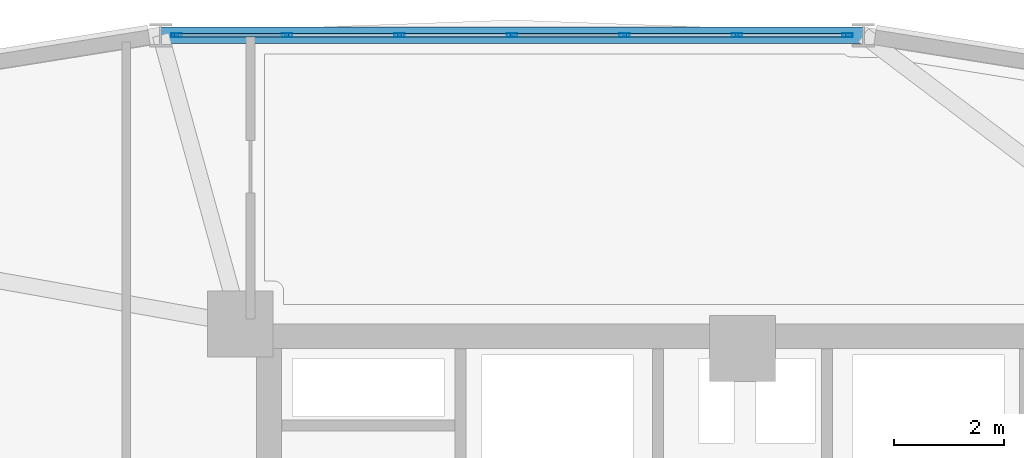
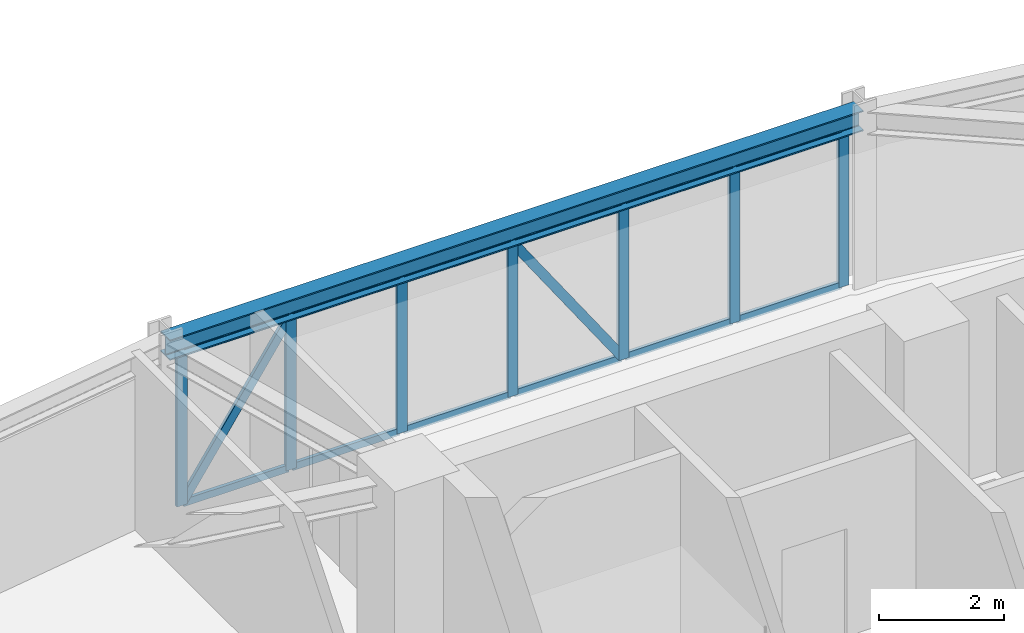
# One storey, part 8 of 15: 21 members, 1 beam, 1 element without a shape of its own.
"""IFC4 building model written with IfcOpenShell, lengths in metres."""

from ifc_helpers import new_model, si_unit, derived_unit, direction, frame, origin, origin_2d, place, context, subcontext, project, spatial, hollow_rectangle, i_section, extrude, source, transform, mapped, material, layer, layer_set, material_profile, profile_set, type_object, element, aggregate, save


model = new_model("IFC4")

# Units and contexts
model_context = context("Model", 3, precision=1e-05, world=origin(), true_north=direction((0.0, 1.0)))
body_context = subcontext(model_context, "Body", "Model", "MODEL_VIEW")
ifc_project = project(units=[si_unit("LENGTHUNIT", "METRE"), si_unit("AREAUNIT", "SQUARE_METRE"), si_unit("VOLUMEUNIT", "CUBIC_METRE"), si_unit("PLANEANGLEUNIT", "RADIAN"), si_unit("MASSUNIT", "GRAM", prefix="KILO"), derived_unit("THERMALTRANSMITTANCEUNIT", [(si_unit("POWERUNIT", "WATT"), 1), (si_unit("LENGTHUNIT", "METRE"), -2), (si_unit("THERMODYNAMICTEMPERATUREUNIT", "KELVIN"), -1)])], contexts=[model_context])

# Site, building, storey
site_placement = place(None, origin())
site = spatial("IfcSite", under=ifc_project, at=site_placement, CompositionType="ELEMENT")
building_placement = place(site_placement, origin())
building = spatial("IfcBuilding", under=site, at=building_placement, Name="Korsvarv Bourse and Concert Hall", CompositionType="ELEMENT")
storey_placement = place(building_placement, frame((0.0, 0.0, 161.39990234375)))
storey = spatial("IfcBuildingStorey", under=building, at=storey_placement, Name="L41", CompositionType="ELEMENT", Elevation=161.39990234375)

# Beam
ifc_material_1 = material(Name="Steel S355", Category="steel")
ifc_material_profile_1 = material_profile(ifc_material_1, i_section(OverallWidth=0.300048828125, OverallDepth=0.39990234375, WebThickness=0.013427734375, FlangeThickness=0.02392578125, FilletRadius=0.02099609375, at=origin_2d()), Name="HEB 400")
ifc_profile_set_1 = profile_set([ifc_material_profile_1], Name="Steel S355")
beam_type = type_object("IfcBeamType", Name="BM-HEB400", PredefinedType="SPANDREL", material=ifc_profile_set_1)
shared_shape_1 = source(origin(), body_context, "Body", "SweptSolid", [
    extrude(i_section(OverallWidth=0.300048828125, OverallDepth=0.39990234375, WebThickness=0.013427734375, FlangeThickness=0.02392578125, FilletRadius=0.02099609375, at=origin_2d()), origin(), (0.0, 0.0, 1.0), 12.802978515625),
])
beam_placement = place(storey_placement, frame((38.201416015625, 52.507568359375, 3.2001953125), z_axis=(-1.0, 0.0, 0.0), x_axis=(0.0, -1.0, 0.0)))
element("IfcBeam", 1, at=beam_placement, inside=storey, type_object=beam_type, Name="L41 beam B-09", PredefinedType="SPANDREL", context=body_context, shape_type="MappedRepresentation", body=[
    mapped(shared_shape_1, transform((0.0, 0.0, 0.0), scale=1.0)),
])

# Curtain wall, members
ifc_material_2 = material(Name="Anodised aluminium and triple low-E glazing", Category="glass")
ifc_layer = layer(ifc_material_2, 0.2099609375)
ifc_layer_set = layer_set([ifc_layer], Name="Anodised aluminium and triple low-E glazing")
curtain_wall_type = type_object("IfcCurtainWallType", Name="CW-SYS-2", PredefinedType="NOTDEFINED", material=ifc_layer_set)
curtain_wall_placement = place(storey_placement, origin())
curtain_wall = element("IfcCurtainWall", 2, at=curtain_wall_placement, inside=storey, type_object=curtain_wall_type, Name="L41 CW2 curtain wall CW-L41-F03", PredefinedType="NOTDEFINED")
ifc_material_3 = material(Name="Extruded aluminium EN AW-6063 T66", Category="aluminium")
ifc_material_profile_2 = material_profile(ifc_material_3, hollow_rectangle(XDim=0.06494140625, YDim=0.139892578125, WallThickness=0.00390625, at=origin_2d()), Name="ALU-T 65x140")
ifc_profile_set_2 = profile_set([ifc_material_profile_2], Name="Extruded aluminium EN AW-6063 T66")
member_type_1 = type_object("IfcMemberType", Name="CWT-140", PredefinedType="USERDEFINED", material=ifc_profile_set_2)
shared_shape_2 = source(origin(), body_context, "Body", "SweptSolid", [
    extrude(hollow_rectangle(XDim=0.06494140625, YDim=0.139892578125, WallThickness=0.00390625, at=origin_2d()), origin(), (0.0, 0.0, 1.0), 1.943359375),
])
member_1_placement = place(storey_placement, frame((27.66796875, 52.507568359375, 0.03271484375), z_axis=(-1.0, 0.0, 0.0), x_axis=(0.0, -1.0, 0.0)))
member_1 = element("IfcMember", 3, at=member_1_placement, type_object=member_type_1, Name="CW2 transom 6.1", ObjectType="TRANSOM", PredefinedType="USERDEFINED", context=body_context, shape_type="MappedRepresentation", body=[
    mapped(shared_shape_2, transform((0.0, 0.0, 0.0), scale=1.0)),
])
member_2_placement = place(storey_placement, frame((27.66796875, 52.507568359375, 2.967529296875), z_axis=(-1.0, 0.0, 0.0), x_axis=(0.0, -1.0, 0.0)))
member_2 = element("IfcMember", 4, at=member_2_placement, type_object=member_type_1, Name="CW2 transom 6.2", ObjectType="TRANSOM", PredefinedType="USERDEFINED", context=body_context, shape_type="MappedRepresentation", body=[
    mapped(shared_shape_2, transform((0.0, 0.0, 0.0), scale=1.0)),
])
ifc_material_profile_3 = material_profile(ifc_material_3, hollow_rectangle(XDim=0.070068359375, YDim=0.18994140625, WallThickness=0.0048828125, at=origin_2d()), Name="ALU-M 70x190")
ifc_profile_set_3 = profile_set([ifc_material_profile_3], Name="Extruded aluminium EN AW-6063 T66")
member_type_2 = type_object("IfcMemberType", Name="CWM-190", PredefinedType="MULLION", material=ifc_profile_set_3)
shared_shape_3 = source(origin(), body_context, "Body", "SweptSolid", [
    extrude(hollow_rectangle(XDim=0.070068359375, YDim=0.18994140625, WallThickness=0.0048828125, at=origin_2d()), origin(), (0.0, 0.0, 1.0), 3.0),
])
member_3_placement = place(storey_placement, frame((37.910400390625, 52.507568359375, 0.0), z_axis=(0.0, 0.0, 1.0), x_axis=(0.0, -1.0, 0.0)))
member_3 = element("IfcMember", 5, at=member_3_placement, type_object=member_type_2, Name="CW2 mullion 1", PredefinedType="MULLION", context=body_context, shape_type="MappedRepresentation", body=[
    mapped(shared_shape_3, transform((0.0, 0.0, 0.0), scale=1.0)),
])
member_4_placement = place(storey_placement, frame((35.89697265625, 52.507568359375, 0.0), z_axis=(0.0, 0.0, 1.0), x_axis=(0.0, -1.0, 0.0)))
member_4 = element("IfcMember", 6, at=member_4_placement, type_object=member_type_2, Name="CW2 mullion 2", PredefinedType="MULLION", context=body_context, shape_type="MappedRepresentation", body=[
    mapped(shared_shape_3, transform((0.0, 0.0, 0.0), scale=1.0)),
])
member_5_placement = place(storey_placement, frame((33.848388671875, 52.507568359375, 0.0), z_axis=(0.0, 0.0, 1.0), x_axis=(0.0, -1.0, 0.0)))
member_5 = element("IfcMember", 7, at=member_5_placement, type_object=member_type_2, Name="CW2 mullion 3", PredefinedType="MULLION", context=body_context, shape_type="MappedRepresentation", body=[
    mapped(shared_shape_3, transform((0.0, 0.0, 0.0), scale=1.0)),
])
member_6_placement = place(storey_placement, frame((31.800048828125, 52.507568359375, 0.0), z_axis=(0.0, 0.0, 1.0), x_axis=(0.0, -1.0, 0.0)))
member_6 = element("IfcMember", 8, at=member_6_placement, type_object=member_type_2, Name="CW2 mullion 4", PredefinedType="MULLION", context=body_context, shape_type="MappedRepresentation", body=[
    mapped(shared_shape_3, transform((0.0, 0.0, 0.0), scale=1.0)),
])
member_7_placement = place(storey_placement, frame((29.75146484375, 52.507568359375, 0.0), z_axis=(0.0, 0.0, 1.0), x_axis=(0.0, -1.0, 0.0)))
member_7 = element("IfcMember", 9, at=member_7_placement, type_object=member_type_2, Name="CW2 mullion 5", PredefinedType="MULLION", context=body_context, shape_type="MappedRepresentation", body=[
    mapped(shared_shape_3, transform((0.0, 0.0, 0.0), scale=1.0)),
])
member_8_placement = place(storey_placement, frame((27.702880859375, 52.507568359375, 0.0), z_axis=(0.0, 0.0, 1.0), x_axis=(0.0, -1.0, 0.0)))
member_8 = element("IfcMember", 10, at=member_8_placement, type_object=member_type_2, Name="CW2 mullion 6", PredefinedType="MULLION", context=body_context, shape_type="MappedRepresentation", body=[
    mapped(shared_shape_3, transform((0.0, 0.0, 0.0), scale=1.0)),
])
member_9_placement = place(storey_placement, frame((25.689453125, 52.507568359375, 0.0), z_axis=(0.0, 0.0, 1.0), x_axis=(0.0, -1.0, 0.0)))
member_9 = element("IfcMember", 11, at=member_9_placement, type_object=member_type_2, Name="CW2 mullion 7", PredefinedType="MULLION", context=body_context, shape_type="MappedRepresentation", body=[
    mapped(shared_shape_3, transform((0.0, 0.0, 0.0), scale=1.0)),
])
shared_shape_4 = source(origin(), body_context, "Body", "SweptSolid", [
    extrude(hollow_rectangle(XDim=0.06494140625, YDim=0.139892578125, WallThickness=0.00390625, at=origin_2d()), origin(), (0.0, 0.0, 1.0), 1.943603515625),
])
member_10_placement = place(storey_placement, frame((37.87548828125, 52.507568359375, 0.03271484375), z_axis=(-1.0, 0.0, 0.0), x_axis=(0.0, -1.0, 0.0)))
member_10 = element("IfcMember", 12, at=member_10_placement, type_object=member_type_1, Name="CW2 transom 1.1", ObjectType="TRANSOM", PredefinedType="USERDEFINED", context=body_context, shape_type="MappedRepresentation", body=[
    mapped(shared_shape_4, transform((0.0, 0.0, 0.0), scale=1.0)),
])
member_11_placement = place(storey_placement, frame((37.87548828125, 52.507568359375, 2.967529296875), z_axis=(-1.0, 0.0, 0.0), x_axis=(0.0, -1.0, 0.0)))
member_11 = element("IfcMember", 13, at=member_11_placement, type_object=member_type_1, Name="CW2 transom 1.2", ObjectType="TRANSOM", PredefinedType="USERDEFINED", context=body_context, shape_type="MappedRepresentation", body=[
    mapped(shared_shape_4, transform((0.0, 0.0, 0.0), scale=1.0)),
])
shared_shape_5 = source(origin(), body_context, "Body", "SweptSolid", [
    extrude(hollow_rectangle(XDim=0.06494140625, YDim=0.139892578125, WallThickness=0.00390625, at=origin_2d()), origin(), (0.0, 0.0, 1.0), 1.978515625),
])
member_12_placement = place(storey_placement, frame((35.862060546875, 52.507568359375, 0.03271484375), z_axis=(-1.0, 0.0, 0.0), x_axis=(0.0, -1.0, 0.0)))
member_12 = element("IfcMember", 14, at=member_12_placement, type_object=member_type_1, Name="CW2 transom 2.1", ObjectType="TRANSOM", PredefinedType="USERDEFINED", context=body_context, shape_type="MappedRepresentation", body=[
    mapped(shared_shape_5, transform((0.0, 0.0, 0.0), scale=1.0)),
])
member_13_placement = place(storey_placement, frame((35.862060546875, 52.507568359375, 2.967529296875), z_axis=(-1.0, 0.0, 0.0), x_axis=(0.0, -1.0, 0.0)))
member_13 = element("IfcMember", 15, at=member_13_placement, type_object=member_type_1, Name="CW2 transom 2.2", ObjectType="TRANSOM", PredefinedType="USERDEFINED", context=body_context, shape_type="MappedRepresentation", body=[
    mapped(shared_shape_5, transform((0.0, 0.0, 0.0), scale=1.0)),
])
member_14_placement = place(storey_placement, frame((33.8134765625, 52.507568359375, 0.03271484375), z_axis=(-1.0, 0.0, 0.0), x_axis=(0.0, -1.0, 0.0)))
member_14 = element("IfcMember", 16, at=member_14_placement, type_object=member_type_1, Name="CW2 transom 3.1", ObjectType="TRANSOM", PredefinedType="USERDEFINED", context=body_context, shape_type="MappedRepresentation", body=[
    mapped(shared_shape_5, transform((0.0, 0.0, 0.0), scale=1.0)),
])
member_15_placement = place(storey_placement, frame((33.8134765625, 52.507568359375, 2.967529296875), z_axis=(-1.0, 0.0, 0.0), x_axis=(0.0, -1.0, 0.0)))
member_15 = element("IfcMember", 17, at=member_15_placement, type_object=member_type_1, Name="CW2 transom 3.2", ObjectType="TRANSOM", PredefinedType="USERDEFINED", context=body_context, shape_type="MappedRepresentation", body=[
    mapped(shared_shape_5, transform((0.0, 0.0, 0.0), scale=1.0)),
])
member_16_placement = place(storey_placement, frame((29.716552734375, 52.507568359375, 0.03271484375), z_axis=(-1.0, 0.0, 0.0), x_axis=(0.0, -1.0, 0.0)))
member_16 = element("IfcMember", 18, at=member_16_placement, type_object=member_type_1, Name="CW2 transom 5.1", ObjectType="TRANSOM", PredefinedType="USERDEFINED", context=body_context, shape_type="MappedRepresentation", body=[
    mapped(shared_shape_5, transform((0.0, 0.0, 0.0), scale=1.0)),
])
member_17_placement = place(storey_placement, frame((29.716552734375, 52.507568359375, 2.967529296875), z_axis=(-1.0, 0.0, 0.0), x_axis=(0.0, -1.0, 0.0)))
member_17 = element("IfcMember", 19, at=member_17_placement, type_object=member_type_1, Name="CW2 transom 5.2", ObjectType="TRANSOM", PredefinedType="USERDEFINED", context=body_context, shape_type="MappedRepresentation", body=[
    mapped(shared_shape_5, transform((0.0, 0.0, 0.0), scale=1.0)),
])
shared_shape_6 = source(origin(), body_context, "Body", "SweptSolid", [
    extrude(hollow_rectangle(XDim=0.06494140625, YDim=0.139892578125, WallThickness=0.00390625, at=origin_2d()), origin(), (0.0, 0.0, 1.0), 1.978271484375),
])
member_18_placement = place(storey_placement, frame((31.764892578125, 52.507568359375, 0.03271484375), z_axis=(-1.0, 0.0, 0.0), x_axis=(0.0, -1.0, 0.0)))
member_18 = element("IfcMember", 20, at=member_18_placement, type_object=member_type_1, Name="CW2 transom 4.1", ObjectType="TRANSOM", PredefinedType="USERDEFINED", context=body_context, shape_type="MappedRepresentation", body=[
    mapped(shared_shape_6, transform((0.0, 0.0, 0.0), scale=1.0)),
])
member_19_placement = place(storey_placement, frame((31.764892578125, 52.507568359375, 2.967529296875), z_axis=(-1.0, 0.0, 0.0), x_axis=(0.0, -1.0, 0.0)))
member_19 = element("IfcMember", 21, at=member_19_placement, type_object=member_type_1, Name="CW2 transom 4.2", ObjectType="TRANSOM", PredefinedType="USERDEFINED", context=body_context, shape_type="MappedRepresentation", body=[
    mapped(shared_shape_6, transform((0.0, 0.0, 0.0), scale=1.0)),
])
ifc_material_profile_4 = material_profile(ifc_material_3, hollow_rectangle(XDim=0.06494140625, YDim=0.1650390625, WallThickness=0.0048828125, at=origin_2d()), Name="ALU-M 65x165")
ifc_profile_set_4 = profile_set([ifc_material_profile_4], Name="Extruded aluminium EN AW-6063 T66")
member_type_3 = type_object("IfcMemberType", Name="CWM-165", PredefinedType="MULLION", material=ifc_profile_set_4)
shared_shape_7 = source(origin(), body_context, "Body", "SweptSolid", [
    extrude(hollow_rectangle(XDim=0.06494140625, YDim=0.1650390625, WallThickness=0.0048828125, at=origin_2d()), origin(), (0.0, 0.0, 1.0), 3.466064453125),
])
member_20_placement = place(storey_placement, frame((25.724609375, 52.507568359375, 0.065185546875), z_axis=(0.560700172607, 0.0, 0.828018910677), x_axis=(0.0, 1.0, 0.0)))
member_20 = element("IfcMember", 22, at=member_20_placement, type_object=member_type_3, Name="CW2 diagonal mullion 6", PredefinedType="MULLION", context=body_context, shape_type="MappedRepresentation", body=[
    mapped(shared_shape_7, transform((0.0, 0.0, 0.0), scale=1.0)),
])
shared_shape_8 = source(origin(), body_context, "Body", "SweptSolid", [
    extrude(hollow_rectangle(XDim=0.06494140625, YDim=0.1650390625, WallThickness=0.0048828125, at=origin_2d()), origin(), (0.0, 0.0, 1.0), 3.48583984375),
])
member_21_placement = place(storey_placement, frame((33.8134765625, 52.507568359375, 0.065185546875), z_axis=(-0.567595466156, 0.0, 0.823307589421), x_axis=(0.0, -1.0, 0.0)))
member_21 = element("IfcMember", 23, at=member_21_placement, type_object=member_type_3, Name="CW2 diagonal mullion 3", PredefinedType="MULLION", context=body_context, shape_type="MappedRepresentation", body=[
    mapped(shared_shape_8, transform((0.0, 0.0, 0.0), scale=1.0)),
])
aggregate(curtain_wall, [member_3, member_4, member_5, member_6, member_7, member_8, member_9, member_10, member_11, member_12, member_13, member_14, member_15, member_21, member_18, member_19, member_16, member_17, member_1, member_2, member_20])

save(model, "model.ifc")
